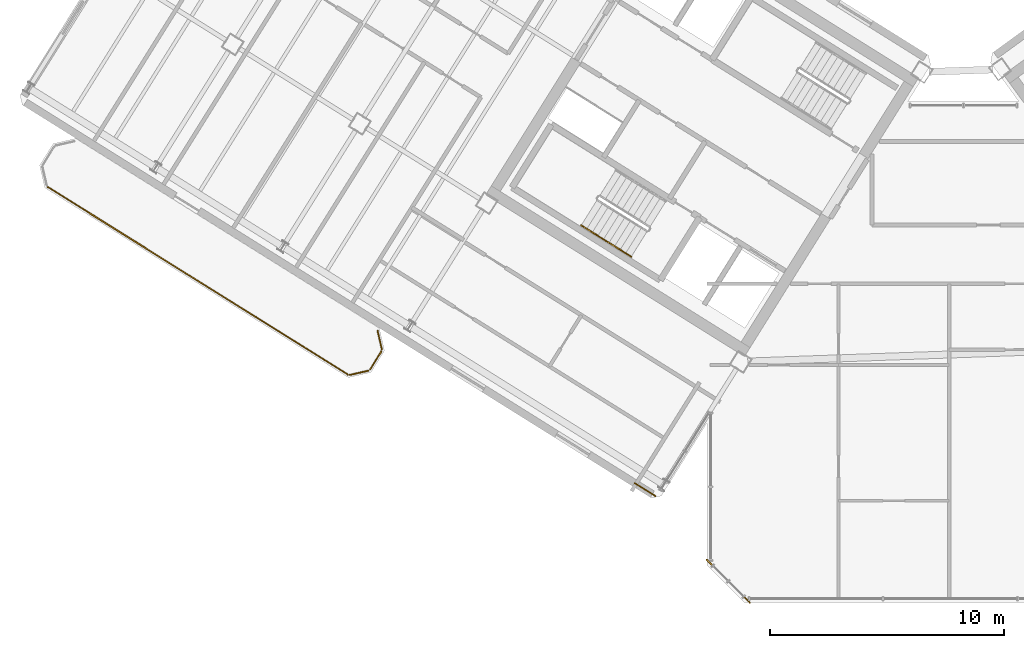
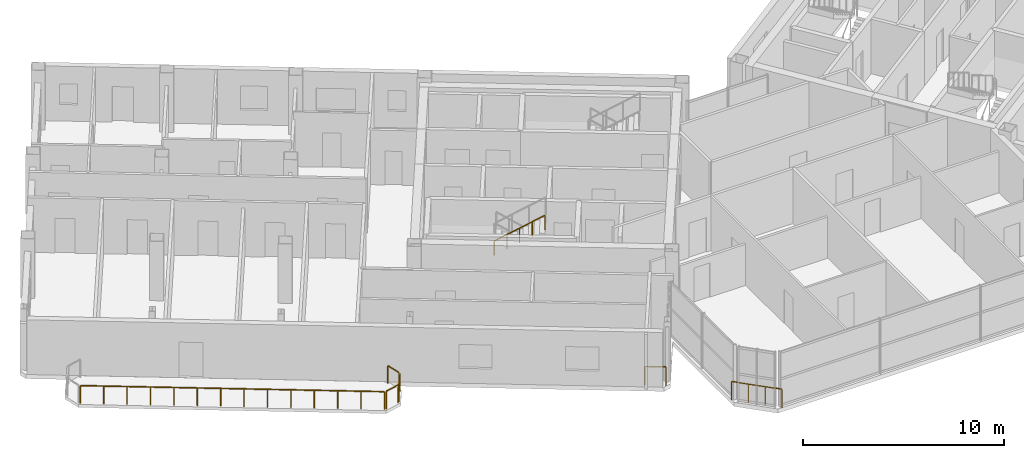
# One storey, part 22 of 25: 8 railings.
"""IFC4 building model written with IfcOpenShell, lengths in metres."""

from ifc_helpers import new_model, si_unit, direction, frame, origin, origin_2d, place, context, subcontext, project, spatial, rectangle, extrude, source, transform, mapped, material, type_object, element, save


model = new_model("IFC4")

# Units and contexts
model_context = context("Model", 3, precision=1e-05, world=origin(), true_north=direction((0.0, 1.0)))
body_context = subcontext(model_context, "Body", "Model", "MODEL_VIEW")
ifc_project = project(units=[si_unit("LENGTHUNIT", "METRE"), si_unit("AREAUNIT", "SQUARE_METRE"), si_unit("VOLUMEUNIT", "CUBIC_METRE"), si_unit("PLANEANGLEUNIT", "RADIAN"), si_unit("MASSUNIT", "GRAM", prefix="KILO")], contexts=[model_context])

# Site, building, storey
site_placement = place(None, origin())
site = spatial("IfcSite", under=ifc_project, at=site_placement, CompositionType="ELEMENT")
building_placement = place(site_placement, origin())
building = spatial("IfcBuilding", under=site, at=building_placement, Name="Tlacorven Tower", CompositionType="ELEMENT")
storey_placement = place(building_placement, frame((0.0, 0.0, 251.10009765625)))
storey = spatial("IfcBuildingStorey", under=building, at=storey_placement, Name="L63", CompositionType="ELEMENT", Elevation=251.10009765625)

# Railings
ifc_material = material(Name="Aluminium and painted steel balustrade", Category="steel")
railing_type_1 = type_object("IfcRailingType", Name="RL-BAL-1100", PredefinedType="BALUSTRADE", material=ifc_material)
shared_shape_1 = source(origin(), body_context, "Body", "SweptSolid", [
    extrude(rectangle(XDim=0.048095703125, YDim=0.048095703125, at=origin_2d()), frame((0.0, 0.0, 1.076171875), z_axis=(0.225058334816, -0.974345290916, 0.0), x_axis=(0.974345290916, 0.225058334816, 0.0)), (0.0, 0.0, 1.0), 0.80712890625),
    extrude(rectangle(XDim=0.0419921875, YDim=0.0419921875, at=origin_2d()), origin(), (0.0, 0.0, 1.0), 1.052001953125),
    extrude(rectangle(XDim=0.0419921875, YDim=0.0419921875, at=origin_2d()), frame((0.181640625, -0.786376953125, 0.0)), (0.0, 0.0, 1.0), 1.052001953125),
])
railing_1_placement = place(storey_placement, frame((17.5244140625, 13.413330078125, 0.0)))
element("IfcRailing", 1, at=railing_1_placement, inside=storey, type_object=railing_type_1, Name="BAL-L63-W-OUT Guard Railing 1", PredefinedType="BALUSTRADE", context=body_context, shape_type="MappedRepresentation", body=[
    mapped(shared_shape_1, transform((0.0, 0.0, 0.0), scale=1.0)),
])
shared_shape_2 = source(origin(), body_context, "Body", "SweptSolid", [
    extrude(rectangle(XDim=0.048095703125, YDim=0.048095703125, at=origin_2d()), frame((0.0, 0.0, 1.076171875), z_axis=(-0.52987865805, -0.848073468364, 0.0), x_axis=(0.848073468364, -0.52987865805, 0.0)), (0.0, 0.0, 1.0), 0.912353515625),
    extrude(rectangle(XDim=0.0419921875, YDim=0.0419921875, at=origin_2d()), origin(), (0.0, 0.0, 1.0), 1.052001953125),
    extrude(rectangle(XDim=0.0419921875, YDim=0.0419921875, at=origin_2d()), frame((-0.4833984375, -0.773681640625, 0.0)), (0.0, 0.0, 1.0), 1.052001953125),
])
railing_2_placement = place(storey_placement, frame((17.690673828125, 12.535888671875, 0.0)))
element("IfcRailing", 2, at=railing_2_placement, inside=storey, type_object=railing_type_1, Name="BAL-L63-W-OUT Guard Railing 2", PredefinedType="BALUSTRADE", context=body_context, shape_type="MappedRepresentation", body=[
    mapped(shared_shape_2, transform((0.0, 0.0, 0.0), scale=1.0)),
])
shared_shape_3 = source(origin(), body_context, "Body", "SweptSolid", [
    extrude(rectangle(XDim=0.048095703125, YDim=0.048095703125, at=origin_2d()), frame((0.0, 0.0, 1.076171875), z_axis=(-0.974411586182, -0.224771129628, 0.0), x_axis=(0.224771129628, -0.974411586182, 0.0)), (0.0, 0.0, 1.0), 0.80712890625),
    extrude(rectangle(XDim=0.0419921875, YDim=0.0419921875, at=origin_2d()), origin(), (0.0, 0.0, 1.0), 1.052001953125),
    extrude(rectangle(XDim=0.0419921875, YDim=0.0419921875, at=origin_2d()), frame((-0.786376953125, -0.181396484375, 0.0)), (0.0, 0.0, 1.0), 1.052001953125),
])
railing_3_placement = place(storey_placement, frame((17.132080078125, 11.70849609375, 0.0)))
element("IfcRailing", 3, at=railing_3_placement, inside=storey, type_object=railing_type_1, Name="BAL-L63-W-OUT Guard Railing 3", PredefinedType="BALUSTRADE", context=body_context, shape_type="MappedRepresentation", body=[
    mapped(shared_shape_3, transform((0.0, 0.0, 0.0), scale=1.0)),
])
shared_shape_4 = source(origin(), body_context, "Body", "SweptSolid", [
    extrude(rectangle(XDim=0.048095703125, YDim=0.048095703125, at=origin_2d()), frame((0.0, 0.0, 1.076171875), z_axis=(-0.848044572804, 0.529924902733, 0.0), x_axis=(-0.529924902733, -0.848044572804, 0.0)), (0.0, 0.0, 1.0), 15.1171875),
    extrude(rectangle(XDim=0.0419921875, YDim=0.0419921875, at=origin_2d()), origin(), (0.0, 0.0, 1.0), 1.052001953125),
    extrude(rectangle(XDim=0.0419921875, YDim=0.0419921875, at=origin_2d()), frame((-0.986083984375, 0.6162109375, 0.0)), (0.0, 0.0, 1.0), 1.052001953125),
    extrude(rectangle(XDim=0.0419921875, YDim=0.0419921875, at=origin_2d()), frame((-1.972412109375, 1.232421875, 0.0)), (0.0, 0.0, 1.0), 1.052001953125),
    extrude(rectangle(XDim=0.0419921875, YDim=0.0419921875, at=origin_2d()), frame((-2.95849609375, 1.8486328125, 0.0)), (0.0, 0.0, 1.0), 1.052001953125),
    extrude(rectangle(XDim=0.0419921875, YDim=0.0419921875, at=origin_2d()), frame((-3.944580078125, 2.46484375, 0.0)), (0.0, 0.0, 1.0), 1.052001953125),
    extrude(rectangle(XDim=0.0419921875, YDim=0.0419921875, at=origin_2d()), frame((-4.930908203125, 3.0810546875, 0.0)), (0.0, 0.0, 1.0), 1.052001953125),
    extrude(rectangle(XDim=0.0419921875, YDim=0.0419921875, at=origin_2d()), frame((-5.9169921875, 3.697265625, 0.0)), (0.0, 0.0, 1.0), 1.052001953125),
    extrude(rectangle(XDim=0.0419921875, YDim=0.0419921875, at=origin_2d()), frame((-6.903076171875, 4.313720703125, 0.0)), (0.0, 0.0, 1.0), 1.052001953125),
    extrude(rectangle(XDim=0.0419921875, YDim=0.0419921875, at=origin_2d()), frame((-7.88916015625, 4.929931640625, 0.0)), (0.0, 0.0, 1.0), 1.052001953125),
    extrude(rectangle(XDim=0.0419921875, YDim=0.0419921875, at=origin_2d()), frame((-8.87548828125, 5.546142578125, 0.0)), (0.0, 0.0, 1.0), 1.052001953125),
    extrude(rectangle(XDim=0.0419921875, YDim=0.0419921875, at=origin_2d()), frame((-9.861572265625, 6.162353515625, 0.0)), (0.0, 0.0, 1.0), 1.052001953125),
    extrude(rectangle(XDim=0.0419921875, YDim=0.0419921875, at=origin_2d()), frame((-10.84765625, 6.778564453125, 0.0)), (0.0, 0.0, 1.0), 1.052001953125),
    extrude(rectangle(XDim=0.0419921875, YDim=0.0419921875, at=origin_2d()), frame((-11.833984375, 7.394775390625, 0.0)), (0.0, 0.0, 1.0), 1.052001953125),
    extrude(rectangle(XDim=0.0419921875, YDim=0.0419921875, at=origin_2d()), frame((-12.820068359375, 8.010986328125, 0.0)), (0.0, 0.0, 1.0), 1.052001953125),
])
railing_4_placement = place(storey_placement, frame((16.254638671875, 11.542236328125, 0.0)))
element("IfcRailing", 4, at=railing_4_placement, inside=storey, type_object=railing_type_1, Name="BAL-L63-W-OUT Guard Railing 4", PredefinedType="BALUSTRADE", context=body_context, shape_type="MappedRepresentation", body=[
    mapped(shared_shape_4, transform((0.0, 0.0, 0.0), scale=1.0)),
])
railing_type_2 = type_object("IfcRailingType", Name="RL-GRD-1150", PredefinedType="GUARDRAIL", material=ifc_material)
shared_shape_5 = source(origin(), body_context, "Body", "SweptSolid", [
    extrude(rectangle(XDim=0.048095703125, YDim=0.048095703125, at=origin_2d()), frame((0.0, 0.0, 1.1259765625), z_axis=(-0.707106781187, 0.707106781187, 0.0), x_axis=(-0.707106781187, -0.707106781187, 0.0)), (0.0, 0.0, 1.0), 2.590087890625),
    extrude(rectangle(XDim=0.0419921875, YDim=0.0419921875, at=origin_2d()), origin(), (0.0, 0.0, 1.0), 1.101806640625),
    extrude(rectangle(XDim=0.0419921875, YDim=0.0419921875, at=origin_2d()), frame((-0.610595703125, 0.610595703125, 0.0)), (0.0, 0.0, 1.0), 1.101806640625),
    extrude(rectangle(XDim=0.0419921875, YDim=0.0419921875, at=origin_2d()), frame((-1.220947265625, 1.220947265625, 0.0)), (0.0, 0.0, 1.0), 1.101806640625),
    extrude(rectangle(XDim=0.0419921875, YDim=0.0419921875, at=origin_2d()), frame((-1.83154296875, 1.83154296875, 0.0)), (0.0, 0.0, 1.0), 1.101806640625),
])
railing_5_placement = place(storey_placement, frame((33.428955078125, 1.79736328125, 0.0)))
element("IfcRailing", 5, at=railing_5_placement, inside=storey, type_object=railing_type_2, Name="L63 Knuckle Glazed Sill Guard 1", PredefinedType="GUARDRAIL", context=body_context, shape_type="MappedRepresentation", body=[
    mapped(shared_shape_5, transform((0.0, 0.0, 0.0), scale=1.0)),
])
shared_shape_6 = source(origin(), body_context, "Body", "SweptSolid", [
    extrude(rectangle(XDim=0.048095703125, YDim=0.048095703125, at=origin_2d()), frame((0.0, 0.0, 1.1259765625), z_axis=(-0.848102774857, 0.529831749973, 0.0), x_axis=(-0.529831749973, -0.848102774857, 0.0)), (0.0, 0.0, 1.0), 1.050048828125),
    extrude(rectangle(XDim=0.0419921875, YDim=0.0419921875, at=origin_2d()), origin(), (0.0, 0.0, 1.0), 1.101806640625),
    extrude(rectangle(XDim=0.0419921875, YDim=0.0419921875, at=origin_2d()), frame((-0.890625, 0.556396484375, 0.0)), (0.0, 0.0, 1.0), 1.101806640625),
])
railing_6_placement = place(storey_placement, frame((29.39501953125, 6.35009765625, 0.0)))
element("IfcRailing", 6, at=railing_6_placement, inside=storey, type_object=railing_type_2, Name="L63 Knuckle Glazed Sill Guard 2", PredefinedType="GUARDRAIL", context=body_context, shape_type="MappedRepresentation", body=[
    mapped(shared_shape_6, transform((0.0, 0.0, 0.0), scale=1.0)),
])
railing_type_3 = type_object("IfcRailingType", Name="RL-HND-0900", PredefinedType="HANDRAIL", material=ifc_material)
shared_shape_7 = source(origin(), body_context, "Body", "SweptSolid", [
    extrude(rectangle(XDim=0.048095703125, YDim=0.048095703125, at=origin_2d()), frame((0.0, 0.0, 0.8759765625), z_axis=(0.713279695859, -0.445799809912, 0.540827703579), x_axis=(0.529998940003, 0.847998304005, 0.0)), (0.0, 0.0, 1.0), 1.497802734375),
    extrude(rectangle(XDim=0.0419921875, YDim=0.0419921875, at=origin_2d()), origin(), (0.0, 0.0, 1.0), 0.851806640625),
    extrude(rectangle(XDim=0.0419921875, YDim=0.0419921875, at=origin_2d()), frame((0.5341796875, -0.333984375, 0.405029296875)), (0.0, 0.0, 1.0), 0.851806640625),
    extrude(rectangle(XDim=0.0419921875, YDim=0.0419921875, at=origin_2d()), frame((1.068359375, -0.667724609375, 0.81005859375)), (0.0, 0.0, 1.0), 0.851806640625),
])
railing_7_placement = place(storey_placement, frame((27.29736328125, 17.24755859375, 2.789794921875)))
element("IfcRailing", 7, at=railing_7_placement, inside=storey, type_object=railing_type_3, Name="L63 ST-W1 stair handrail 4", PredefinedType="HANDRAIL", context=body_context, shape_type="MappedRepresentation", body=[
    mapped(shared_shape_7, transform((0.0, 0.0, 0.0), scale=1.0)),
])
shared_shape_8 = source(origin(), body_context, "Body", "SweptSolid", [
    extrude(rectangle(XDim=0.048095703125, YDim=0.048095703125, at=origin_2d()), frame((0.0, 0.0, 0.8759765625), z_axis=(0.713422621445, -0.445787267455, 0.540649494022), x_axis=(0.529911857636, 0.848052724267, 0.0)), (0.0, 0.0, 1.0), 1.497802734375),
    extrude(rectangle(XDim=0.0419921875, YDim=0.0419921875, at=origin_2d()), origin(), (0.0, 0.0, 1.0), 0.851806640625),
    extrude(rectangle(XDim=0.0419921875, YDim=0.0419921875, at=origin_2d()), frame((0.5341796875, -0.333984375, 0.40478515625)), (0.0, 0.0, 1.0), 0.851806640625),
    extrude(rectangle(XDim=0.0419921875, YDim=0.0419921875, at=origin_2d()), frame((1.068603515625, -0.667724609375, 0.809814453125)), (0.0, 0.0, 1.0), 0.851806640625),
])
railing_8_placement = place(storey_placement, frame((26.228759765625, 17.915283203125, 1.97998046875)))
element("IfcRailing", 8, at=railing_8_placement, inside=storey, type_object=railing_type_3, Name="L63 ST-W1 stair handrail 3", PredefinedType="HANDRAIL", context=body_context, shape_type="MappedRepresentation", body=[
    mapped(shared_shape_8, transform((0.0, 0.0, 0.0), scale=1.0)),
])

save(model, "model.ifc")
